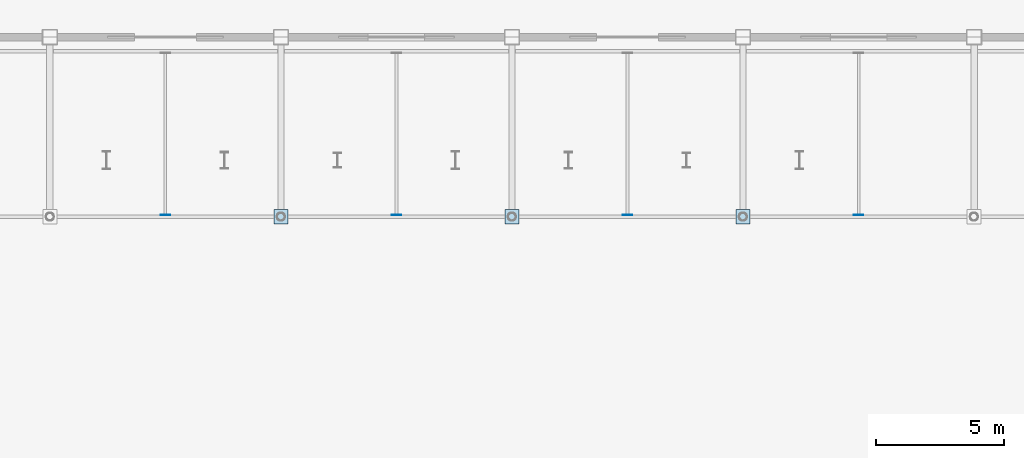
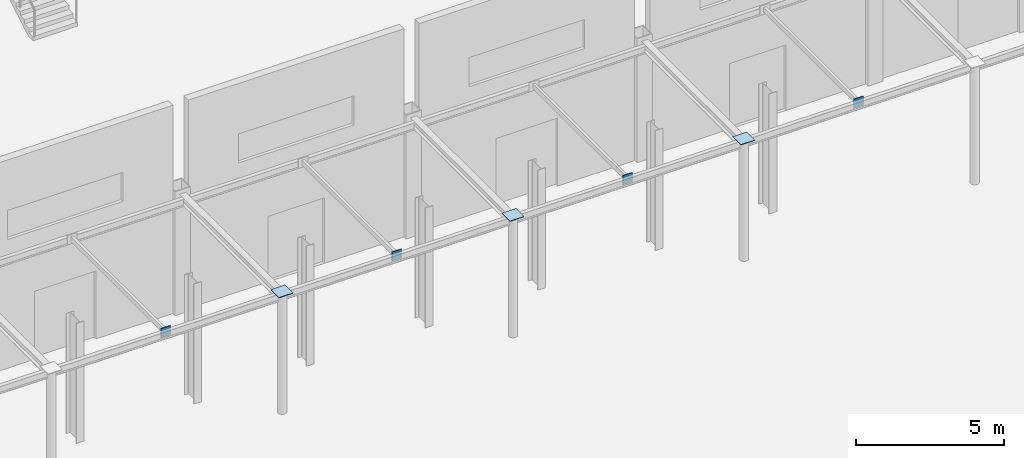
# One storey, part 74 of 123: 7 plates.
"""IFC4 building model written with IfcOpenShell, lengths in metres."""

from ifc_helpers import new_model, si_unit, direction, frame, origin, origin_2d, place, context, subcontext, project, spatial, rectangle, extrude, material, layer, layer_set, type_object, element, save


model = new_model("IFC4")

# Units and contexts
model_context = context("Model", 3, precision=1e-05, world=origin(), true_north=direction((0.0, 1.0)))
body_context = subcontext(model_context, "Body", "Model", "MODEL_VIEW")
ifc_project = project(units=[si_unit("LENGTHUNIT", "METRE"), si_unit("AREAUNIT", "SQUARE_METRE"), si_unit("VOLUMEUNIT", "CUBIC_METRE"), si_unit("PLANEANGLEUNIT", "RADIAN"), si_unit("MASSUNIT", "GRAM", prefix="KILO")], contexts=[model_context])

# Site, building, storey
site_placement = place(None, origin())
site = spatial("IfcSite", under=ifc_project, at=site_placement, CompositionType="ELEMENT")
building_placement = place(site_placement, origin())
building = spatial("IfcBuilding", under=site, at=building_placement, Name="Suzunagisa Mobility Hub", CompositionType="ELEMENT")
storey_placement = place(building_placement, origin())
storey = spatial("IfcBuildingStorey", under=building, at=storey_placement, Name="L00", CompositionType="ELEMENT", Elevation=0.0)

# Plates
ifc_material = material(Name="Steel SN490B", Category="steel")
ifc_layer_1 = layer(ifc_material, 0.02392578125)
ifc_layer_set_1 = layer_set([ifc_layer_1], Name="Steel SN490B")
plate_type_1 = type_object("IfcPlateType", Name="Structural Steel Plate SP-01 550x550x24", PredefinedType="USERDEFINED", material=ifc_layer_set_1)
for number, where, z_axis, x_axis, name in (
    (1, (72.0, 29.0, 4.93994140625), (0.0, 0.0, 1.0), (1.0, 0.0, 0.0), "L00 Column Cap Plate CP-150"),
    (2, (81.0, 29.0, 4.93994140625), (0.0, 0.0, 1.0), (1.0, 0.0, 0.0), "L00 Column Cap Plate CP-166"),
    (3, (90.0, 29.0, 4.93994140625), (0.0, 0.0, 1.0), (1.0, 0.0, 0.0), "L00 Column Cap Plate CP-182"),
):
    element("IfcPlate", number, at=place(storey_placement, frame(where, z_axis=z_axis, x_axis=x_axis)), inside=storey, type_object=plate_type_1, Name=name, ObjectType="BASE PLATE", PredefinedType="USERDEFINED", context=body_context, shape_type="SweptSolid", body=[
        extrude(rectangle(XDim=0.550048828125, YDim=0.550048828125, at=origin_2d()), origin(), (0.0, 0.0, 1.0), 0.02392578125),
    ])
ifc_layer_2 = layer(ifc_material, 0.028076171875)
ifc_layer_set_2 = layer_set([ifc_layer_2], Name="Steel SN490B")
plate_type_2 = type_object("IfcPlateType", Name="Structural Steel Plate SP-07 380x380x28", PredefinedType="USERDEFINED", material=ifc_layer_set_2)
for number, where, z_axis, x_axis, name in (
    (4, (67.5, 29.06591796875, 4.650146484375), (0.0, 0.0, 1.0), (1.0, 0.0, 0.0), "Canopy Frame End Gusset Plate CPG-2S"),
    (5, (76.5, 29.06591796875, 4.650146484375), (0.0, 0.0, 1.0), (1.0, 0.0, 0.0), "Canopy Frame End Gusset Plate CPG-3S"),
    (6, (85.5, 29.06591796875, 4.650146484375), (0.0, 0.0, 1.0), (1.0, 0.0, 0.0), "Canopy Frame End Gusset Plate CPG-4S"),
    (7, (94.5, 29.06591796875, 4.650146484375), (0.0, 0.0, 1.0), (1.0, 0.0, 0.0), "Canopy Frame End Gusset Plate CPG-5S"),
):
    element("IfcPlate", number, at=place(storey_placement, frame(where, z_axis=z_axis, x_axis=x_axis)), inside=storey, type_object=plate_type_2, Name=name, ObjectType="GUSSET PLATE", PredefinedType="USERDEFINED", context=body_context, shape_type="SweptSolid", body=[
        extrude(rectangle(XDim=0.3798828125, YDim=0.028076171875, at=origin_2d()), origin(), (0.0, 0.0, 1.0), 0.3798828125),
    ])

save(model, "model.ifc")
